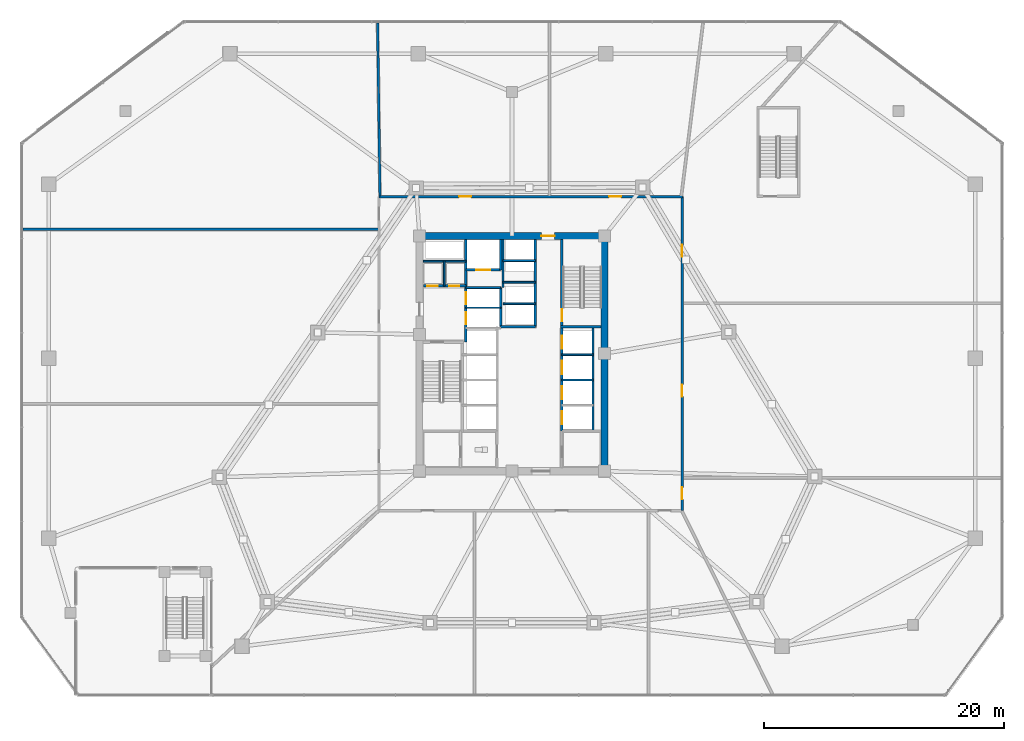
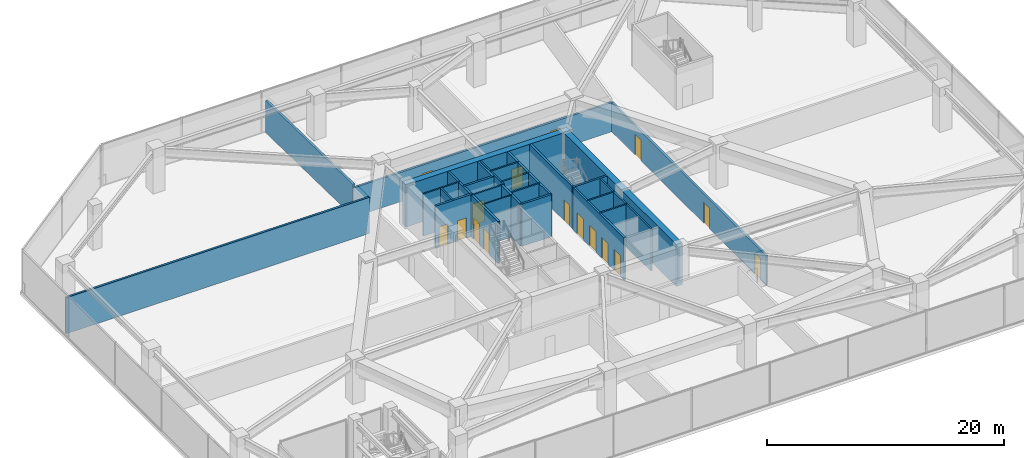
# One storey, part 15 of 23: 27 walls, 16 doors, 16 openings.
"""IFC4 building model written with IfcOpenShell, lengths in metres."""

from ifc_helpers import new_model, si_unit, direction, frame, frame_2d, origin, place, context, subcontext, project, spatial, rectangle, extrude, material, layer, layer_set, type_object, element, fill, save


model = new_model("IFC4")

# Units and contexts
model_context = context("Model", 3, precision=1e-05, world=origin(), true_north=direction((0.0, 1.0)))
body_context = subcontext(model_context, "Body", "Model", "MODEL_VIEW")
ifc_project = project(units=[si_unit("LENGTHUNIT", "METRE"), si_unit("AREAUNIT", "SQUARE_METRE"), si_unit("VOLUMEUNIT", "CUBIC_METRE"), si_unit("PLANEANGLEUNIT", "RADIAN"), si_unit("MASSUNIT", "GRAM", prefix="KILO")], contexts=[model_context])

# Site, building, storey
site_placement = place(None, origin())
site = spatial("IfcSite", under=ifc_project, at=site_placement, CompositionType="ELEMENT")
building_placement = place(site_placement, origin())
building = spatial("IfcBuilding", under=site, at=building_placement, Name="Savorim Split Tower", CompositionType="ELEMENT")
storey_placement = place(building_placement, frame((0.0, 0.0, 21.800048828125)))
storey = spatial("IfcBuildingStorey", under=building, at=storey_placement, Name="L05", CompositionType="ELEMENT", Elevation=21.800048828125)

# Wall, opening, door
ifc_material_1 = material(Name="Concrete C60/75", Category="concrete")
ifc_layer_1 = layer(ifc_material_1, 0.60009765625)
ifc_layer_set_1 = layer_set([ifc_layer_1], Name="WAL-COR-SH600")
wall_type_1 = type_object("IfcWallType", Name="WAL-COR-SH600", PredefinedType="SHEAR", material=ifc_layer_set_1)
wall_1_placement = place(storey_placement, frame((8.0, 10.199951171875, 0.0), z_axis=(0.0, 0.0, 1.0), x_axis=(-1.0, 0.0, 0.0)))
wall_1 = element("IfcWall", 1, at=wall_1_placement, inside=storey, type_object=wall_type_1, Name="L05 Offset Core North Shear Wall", PredefinedType="SHEAR", context=body_context, shape_type="SweptSolid", body=[
    extrude(rectangle(XDim=16.0, YDim=0.60009765625, at=frame_2d((8.0, 0.0))), origin(), (0.0, 0.0, 1.0), 4.349853515625),
])
opening_1_placement = place(wall_1_placement, frame((4.449951171875, 0.0, 0.0)))
opening_1 = element("IfcOpeningElement", 2, at=opening_1_placement, cuts=wall_1, Name="Opening DI-03", PredefinedType="OPENING", context=body_context, shape_type="SweptSolid", body=[
    extrude(rectangle(XDim=1.10009765625, YDim=2.14990234375, at=frame_2d((0.550048828125, 1.074951171875))), frame((0.0, 0.31005859375, 0.0), z_axis=(0.0, -1.0, 0.0), x_axis=(1.0, 0.0, 0.0)), (0.0, 0.0, 1.0), 0.6201171875),
])
ifc_material_2 = material(Name="Timber Fire Door Leaf", Category="wood")
door_type_1 = type_object("IfcDoorType", Name="DOR-FIR-1100", OperationType="NOTDEFINED", PredefinedType="DOOR", material=ifc_material_2)
door_1_placement = place(opening_1_placement, origin())
door_1 = element("IfcDoor", 3, at=door_1_placement, inside=storey, type_object=door_type_1, Name="DOR-L05-COR-NLOB - L05 North Corridor Lobby Fire Door", OperationType="SINGLE_SWING_RIGHT", OverallHeight=2.14990234375, OverallWidth=1.10009765625, PredefinedType="DOOR", context=body_context, shape_type="SweptSolid", body=[
    extrude(rectangle(XDim=1.10009765625, YDim=2.14990234375, at=frame_2d((0.550048828125, 1.074951171875))), frame((0.0, 0.02490234375, 0.0), z_axis=(0.0, -1.0, 0.0), x_axis=(1.0, 0.0, 0.0)), (0.0, 0.0, 1.0), 0.050048828125),
])
fill(opening_1, door_1)

# Wall
wall_2_placement = place(storey_placement, frame((7.699951171875, 9.89990234375, 0.0), z_axis=(0.0, 0.0, 1.0), x_axis=(0.0, -1.0, 0.0)))
element("IfcWall", 4, at=wall_2_placement, inside=storey, type_object=wall_type_1, Name="L05 Offset Core East Shear Wall", PredefinedType="SHEAR", context=body_context, shape_type="SweptSolid", body=[
    extrude(rectangle(XDim=19.0, YDim=0.60009765625, at=frame_2d((9.5, 0.0))), origin(), (0.0, 0.0, 1.0), 4.349853515625),
])

# Wall, openings, doors
ifc_material_3 = material(Name="Concrete C50/60", Category="concrete")
ifc_layer_2 = layer(ifc_material_3, 0.199951171875)
ifc_layer_set_2 = layer_set([ifc_layer_2], Name="WAL-INT-RC200")
wall_type_2 = type_object("IfcWallType", Name="WAL-INT-RC200", PredefinedType="SOLIDWALL", material=ifc_layer_set_2)
wall_3_placement = place(storey_placement, frame((-3.85009765625, 1.35009765625, 0.0), z_axis=(0.0, 0.0, 1.0), x_axis=(0.0, 1.0, 0.0)))
wall_3 = element("IfcWall", 5, at=wall_3_placement, inside=storey, type_object=wall_type_2, Name="L05 Partition W-L05-CR03", PredefinedType="SOLIDWALL", context=body_context, shape_type="SweptSolid", body=[
    extrude(rectangle(XDim=8.544921875, YDim=0.199951171875, at=frame_2d((4.2724609375, 0.0))), origin(), (0.0, 0.0, 1.0), 4.349853515625),
])
opening_2_placement = place(wall_3_placement, frame((1.5, 0.0, 0.0)))
opening_2 = element("IfcOpeningElement", 6, at=opening_2_placement, cuts=wall_3, Name="Opening LD-FFL", PredefinedType="OPENING", context=body_context, shape_type="SweptSolid", body=[
    extrude(rectangle(XDim=1.0, YDim=2.14990234375, at=frame_2d((0.5, 1.074951171875))), frame((0.0, 0.10986328125, 0.0), z_axis=(0.0, -1.0, 0.0), x_axis=(1.0, 0.0, 0.0)), (0.0, 0.0, 1.0), 0.219970703125),
])
opening_3_placement = place(wall_3_placement, frame((3.179931640625, 0.0, 0.0)))
opening_3 = element("IfcOpeningElement", 7, at=opening_3_placement, cuts=wall_3, Name="Opening LD-FFL", PredefinedType="OPENING", context=body_context, shape_type="SweptSolid", body=[
    extrude(rectangle(XDim=1.0, YDim=2.14990234375, at=frame_2d((0.5, 1.074951171875))), frame((0.0, 0.10986328125, 0.0), z_axis=(0.0, -1.0, 0.0), x_axis=(1.0, 0.0, 0.0)), (0.0, 0.0, 1.0), 0.219970703125),
])
ifc_material_4 = material(Name="Charcoal Anodised Aluminium", Category="aluminium")
door_type_2 = type_object("IfcDoorType", Name="DOR-SLD-LD1000", OperationType="NOTDEFINED", PredefinedType="DOOR", material=ifc_material_4)
door_2_placement = place(opening_2_placement, origin())
door_2 = element("IfcDoor", 8, at=door_2_placement, inside=storey, type_object=door_type_2, Name="DR-L05-LD-FFL1 - L05 Firefighting Lift FFL-1 Sliding Landing Door", OperationType="DOUBLE_DOOR_SLIDING", OverallHeight=2.14990234375, OverallWidth=1.0, PredefinedType="DOOR", context=body_context, shape_type="SweptSolid", body=[
    extrude(rectangle(XDim=1.0, YDim=2.14990234375, at=frame_2d((0.5, 1.074951171875))), frame((0.0, 0.02490234375, 0.0), z_axis=(0.0, -1.0, 0.0), x_axis=(1.0, 0.0, 0.0)), (0.0, 0.0, 1.0), 0.050048828125),
])
fill(opening_2, door_2)
door_3_placement = place(opening_3_placement, origin())
door_3 = element("IfcDoor", 9, at=door_3_placement, inside=storey, type_object=door_type_2, Name="DR-L05-LD-FFL2 - L05 Firefighting Lift FFL-2 Sliding Landing Door", OperationType="DOUBLE_DOOR_SLIDING", OverallHeight=2.14990234375, OverallWidth=1.0, PredefinedType="DOOR", context=body_context, shape_type="SweptSolid", body=[
    extrude(rectangle(XDim=1.0, YDim=2.14990234375, at=frame_2d((0.5, 1.074951171875))), frame((0.0, 0.02490234375, 0.0), z_axis=(0.0, -1.0, 0.0), x_axis=(1.0, 0.0, 0.0)), (0.0, 0.0, 1.0), 0.050048828125),
])
fill(opening_3, door_3)

wall_4_placement = place(storey_placement, frame((-7.39501953125, 6.050048828125, 0.0), z_axis=(0.0, 0.0, 1.0), x_axis=(1.0, 0.0, 0.0)))
wall_4 = element("IfcWall", 10, at=wall_4_placement, inside=storey, type_object=wall_type_2, Name="L05 Partition W-L05-CR04", PredefinedType="SOLIDWALL", context=body_context, shape_type="SweptSolid", body=[
    extrude(rectangle(XDim=3.544921875, YDim=0.199951171875, at=frame_2d((1.7724609375, 0.0))), origin(), (0.0, 0.0, 1.0), 4.349853515625),
])
opening_4_placement = place(wall_4_placement, frame((0.344970703125, 0.0, 0.0)))
opening_4 = element("IfcOpeningElement", 11, at=opening_4_placement, cuts=wall_4, Name="Opening DI-12", PredefinedType="OPENING", context=body_context, shape_type="SweptSolid", body=[
    extrude(rectangle(XDim=0.85009765625, YDim=2.10009765625, at=frame_2d((0.425048828125, 1.050048828125))), frame((0.0, 0.10986328125, 0.0), z_axis=(0.0, -1.0, 0.0), x_axis=(1.0, 0.0, 0.0)), (0.0, 0.0, 1.0), 0.219970703125),
])
opening_5_placement = place(wall_4_placement, frame((2.14501953125, 0.0, 0.0)))
opening_5 = element("IfcOpeningElement", 12, at=opening_5_placement, cuts=wall_4, Name="Opening DI-12", PredefinedType="OPENING", context=body_context, shape_type="SweptSolid", body=[
    extrude(rectangle(XDim=0.85009765625, YDim=2.10009765625, at=frame_2d((0.425048828125, 1.050048828125))), frame((0.0, 0.10986328125, 0.0), z_axis=(0.0, -1.0, 0.0), x_axis=(1.0, 0.0, 0.0)), (0.0, 0.0, 1.0), 0.219970703125),
])
ifc_material_5 = material(Name="Galvanised Painted Steel Balustrade", Category="steel")
door_type_3 = type_object("IfcDoorType", Name="DOR-RIS-850", OperationType="NOTDEFINED", PredefinedType="DOOR", material=ifc_material_5)
door_4_placement = place(opening_4_placement, origin())
door_4 = element("IfcDoor", 13, at=door_4_placement, inside=storey, type_object=door_type_3, Name="DR-L05-ELR - L05 Electrical Riser Access Door", OperationType="SINGLE_SWING_RIGHT", OverallHeight=2.10009765625, OverallWidth=0.85009765625, PredefinedType="DOOR", context=body_context, shape_type="SweptSolid", body=[
    extrude(rectangle(XDim=0.85009765625, YDim=2.10009765625, at=frame_2d((0.425048828125, 1.050048828125))), frame((0.0, 0.02490234375, 0.0), z_axis=(0.0, -1.0, 0.0), x_axis=(1.0, 0.0, 0.0)), (0.0, 0.0, 1.0), 0.050048828125),
])
fill(opening_4, door_4)
door_5_placement = place(opening_5_placement, origin())
door_5 = element("IfcDoor", 14, at=door_5_placement, inside=storey, type_object=door_type_3, Name="DR-L05-TLR - L05 Telecom Riser Access Door", OperationType="SINGLE_SWING_LEFT", OverallHeight=2.10009765625, OverallWidth=0.85009765625, PredefinedType="DOOR", context=body_context, shape_type="SweptSolid", body=[
    extrude(rectangle(XDim=0.85009765625, YDim=2.10009765625, at=frame_2d((0.425048828125, 1.050048828125))), frame((0.0, 0.02490234375, 0.0), z_axis=(0.0, -1.0, 0.0), x_axis=(1.0, 0.0, 0.0)), (0.0, 0.0, 1.0), 0.050048828125),
])
fill(opening_5, door_5)

# Wall, opening, door
wall_5_placement = place(storey_placement, frame((4.14990234375, 2.75, 0.0), z_axis=(0.0, 0.0, 1.0), x_axis=(0.0, 1.0, 0.0)))
wall_5 = element("IfcWall", 15, at=wall_5_placement, inside=storey, type_object=wall_type_2, Name="L05 Structural Shaft Wall W-L05-CR07", PredefinedType="SOLIDWALL", context=body_context, shape_type="SweptSolid", body=[
    extrude(rectangle(XDim=7.14990234375, YDim=0.199951171875, at=frame_2d((3.574951171875, 0.0))), origin(), (0.0, 0.0, 1.0), 4.349853515625),
])
opening_6_placement = place(wall_5_placement, frame((0.35009765625, 0.0, 0.0)))
opening_6 = element("IfcOpeningElement", 16, at=opening_6_placement, cuts=wall_5, Name="Opening DI-04", PredefinedType="OPENING", context=body_context, shape_type="SweptSolid", body=[
    extrude(rectangle(XDim=1.0, YDim=2.14990234375, at=frame_2d((0.5, 1.074951171875))), frame((0.0, 0.10986328125, 0.0), z_axis=(0.0, -1.0, 0.0), x_axis=(1.0, 0.0, 0.0)), (0.0, 0.0, 1.0), 0.219970703125),
])
door_type_4 = type_object("IfcDoorType", Name="DOR-FIR-1000", OperationType="NOTDEFINED", PredefinedType="DOOR", material=ifc_material_2)
door_6_placement = place(opening_6_placement, origin())
door_6 = element("IfcDoor", 17, at=door_6_placement, inside=storey, type_object=door_type_4, Name="DR-L05-ST2 - L05 Stair ST-2 Enclosure Door", OperationType="SINGLE_SWING_RIGHT", OverallHeight=2.14990234375, OverallWidth=1.0, PredefinedType="DOOR", context=body_context, shape_type="SweptSolid", body=[
    extrude(rectangle(XDim=1.0, YDim=2.14990234375, at=frame_2d((0.5, 1.074951171875))), frame((0.0, 0.02490234375, 0.0), z_axis=(0.0, -1.0, 0.0), x_axis=(1.0, 0.0, 0.0)), (0.0, 0.0, 1.0), 0.050048828125),
])
fill(opening_6, door_6)

# Walls
wall_6_placement = place(storey_placement, frame((4.050048828125, 2.64990234375, 0.0), z_axis=(0.0, 0.0, 1.0), x_axis=(1.0, 0.0, 0.0)))
element("IfcWall", 18, at=wall_6_placement, inside=storey, type_object=wall_type_2, Name="L05 Structural Shaft Wall W-L05-CR08", PredefinedType="SOLIDWALL", context=body_context, shape_type="SweptSolid", body=[
    extrude(rectangle(XDim=3.349853515625, YDim=0.199951171875, at=frame_2d((1.6748046875, 0.0))), origin(), (0.0, 0.0, 1.0), 4.349853515625),
])
wall_7_placement = place(storey_placement, frame((-0.949951171875, 2.64990234375, 0.0), z_axis=(0.0, 0.0, 1.0), x_axis=(0.0, 1.0, 0.0)))
element("IfcWall", 19, at=wall_7_placement, inside=storey, type_object=wall_type_2, Name="L05 Partition W-L05-FFLW", PredefinedType="SOLIDWALL", context=body_context, shape_type="SweptSolid", body=[
    extrude(rectangle(XDim=3.27001953125, YDim=0.199951171875, at=frame_2d((1.635009765625, 0.0))), origin(), (0.0, 0.0, 1.0), 4.349853515625),
])

# Wall, opening, door
wall_8_placement = place(storey_placement, frame((-3.85009765625, 7.3798828125, 0.0), z_axis=(0.0, 0.0, 1.0), x_axis=(1.0, 0.0, 0.0)))
wall_8 = element("IfcWall", 20, at=wall_8_placement, inside=storey, type_object=wall_type_2, Name="L05 Partition W-L05-SVLS", PredefinedType="SOLIDWALL", context=body_context, shape_type="SweptSolid", body=[
    extrude(rectangle(XDim=2.900146484375, YDim=0.199951171875, at=frame_2d((1.4501953125, 0.0))), origin(), (0.0, 0.0, 1.0), 4.349853515625),
])
opening_7_placement = place(wall_8_placement, frame((0.85009765625, 0.0, 0.0)))
opening_7 = element("IfcOpeningElement", 21, at=opening_7_placement, cuts=wall_8, Name="Opening LD-SV", PredefinedType="OPENING", context=body_context, shape_type="SweptSolid", body=[
    extrude(rectangle(XDim=1.199951171875, YDim=2.199951171875, at=frame_2d((0.60009765625, 1.10009765625))), frame((0.0, 0.10986328125, 0.0), z_axis=(0.0, -1.0, 0.0), x_axis=(1.0, 0.0, 0.0)), (0.0, 0.0, 1.0), 0.219970703125),
])
door_type_5 = type_object("IfcDoorType", Name="DOR-SLD-SV1200", OperationType="NOTDEFINED", PredefinedType="DOOR", material=ifc_material_4)
door_7_placement = place(opening_7_placement, origin())
door_7 = element("IfcDoor", 22, at=door_7_placement, inside=storey, type_object=door_type_5, Name="DR-L05-LD-SVL1 - L05 Service Lift SVL-1 Sliding Landing Door", OperationType="DOUBLE_DOOR_SLIDING", OverallHeight=2.199951171875, OverallWidth=1.199951171875, PredefinedType="DOOR", context=body_context, shape_type="SweptSolid", body=[
    extrude(rectangle(XDim=1.199951171875, YDim=2.199951171875, at=frame_2d((0.60009765625, 1.10009765625))), frame((0.0, 0.02490234375, 0.0), z_axis=(0.0, -1.0, 0.0), x_axis=(1.0, 0.0, 0.0)), (0.0, 0.0, 1.0), 0.050048828125),
])
fill(opening_7, door_7)

# Wall
wall_9_placement = place(storey_placement, frame((-0.949951171875, 7.3798828125, 0.0), z_axis=(0.0, 0.0, 1.0), x_axis=(0.0, 1.0, 0.0)))
element("IfcWall", 23, at=wall_9_placement, inside=storey, type_object=wall_type_2, Name="L05 Partition W-L05-SVLE", PredefinedType="SOLIDWALL", context=body_context, shape_type="SweptSolid", body=[
    extrude(rectangle(XDim=2.51513671875, YDim=0.199951171875, at=frame_2d((1.257568359375, 0.0))), origin(), (0.0, 0.0, 1.0), 4.349853515625),
])

# Wall, openings, doors
wall_10_placement = place(storey_placement, frame((4.14990234375, -6.050048828125, 0.0), z_axis=(0.0, 0.0, 1.0), x_axis=(0.0, 1.0, 0.0)))
wall_10 = element("IfcWall", 24, at=wall_10_placement, inside=storey, type_object=wall_type_2, Name="L05 Partition W-L05-B1FRONT", PredefinedType="SOLIDWALL", context=body_context, shape_type="SweptSolid", body=[
    extrude(rectangle(XDim=8.699951171875, YDim=0.199951171875, at=frame_2d((4.35009765625, 0.0))), origin(), (0.0, 0.0, 1.0), 4.349853515625),
])
opening_8_placement = place(wall_10_placement, frame((0.550048828125, 0.0, 0.0)))
opening_8 = element("IfcOpeningElement", 25, at=opening_8_placement, cuts=wall_10, Name="Opening LD-01", PredefinedType="OPENING", context=body_context, shape_type="SweptSolid", body=[
    extrude(rectangle(XDim=1.10009765625, YDim=2.14990234375, at=frame_2d((0.550048828125, 1.074951171875))), frame((0.0, 0.10986328125, 0.0), z_axis=(0.0, -1.0, 0.0), x_axis=(1.0, 0.0, 0.0)), (0.0, 0.0, 1.0), 0.219970703125),
])
opening_9_placement = place(wall_10_placement, frame((2.64990234375, 0.0, 0.0)))
opening_9 = element("IfcOpeningElement", 26, at=opening_9_placement, cuts=wall_10, Name="Opening LD-01", PredefinedType="OPENING", context=body_context, shape_type="SweptSolid", body=[
    extrude(rectangle(XDim=1.10009765625, YDim=2.14990234375, at=frame_2d((0.550048828125, 1.074951171875))), frame((0.0, 0.10986328125, 0.0), z_axis=(0.0, -1.0, 0.0), x_axis=(1.0, 0.0, 0.0)), (0.0, 0.0, 1.0), 0.219970703125),
])
opening_10_placement = place(wall_10_placement, frame((4.75, 0.0, 0.0)))
opening_10 = element("IfcOpeningElement", 27, at=opening_10_placement, cuts=wall_10, Name="Opening LD-01", PredefinedType="OPENING", context=body_context, shape_type="SweptSolid", body=[
    extrude(rectangle(XDim=1.10009765625, YDim=2.14990234375, at=frame_2d((0.550048828125, 1.074951171875))), frame((0.0, 0.10986328125, 0.0), z_axis=(0.0, -1.0, 0.0), x_axis=(1.0, 0.0, 0.0)), (0.0, 0.0, 1.0), 0.219970703125),
])
opening_11_placement = place(wall_10_placement, frame((6.85009765625, 0.0, 0.0)))
opening_11 = element("IfcOpeningElement", 28, at=opening_11_placement, cuts=wall_10, Name="Opening LD-01", PredefinedType="OPENING", context=body_context, shape_type="SweptSolid", body=[
    extrude(rectangle(XDim=1.10009765625, YDim=2.14990234375, at=frame_2d((0.550048828125, 1.074951171875))), frame((0.0, 0.10986328125, 0.0), z_axis=(0.0, -1.0, 0.0), x_axis=(1.0, 0.0, 0.0)), (0.0, 0.0, 1.0), 0.219970703125),
])
door_type_6 = type_object("IfcDoorType", Name="DOR-SLD-LD1100", OperationType="NOTDEFINED", PredefinedType="DOOR", material=ifc_material_4)
door_8_placement = place(opening_8_placement, origin())
door_8 = element("IfcDoor", 29, at=door_8_placement, inside=storey, type_object=door_type_6, Name="DR-L05-LD-PLL1 - L05 Lift PL-L1 Sliding Landing Door", OperationType="DOUBLE_DOOR_SLIDING", OverallHeight=2.14990234375, OverallWidth=1.10009765625, PredefinedType="DOOR", context=body_context, shape_type="SweptSolid", body=[
    extrude(rectangle(XDim=1.10009765625, YDim=2.14990234375, at=frame_2d((0.550048828125, 1.074951171875))), frame((0.0, 0.02490234375, 0.0), z_axis=(0.0, -1.0, 0.0), x_axis=(1.0, 0.0, 0.0)), (0.0, 0.0, 1.0), 0.050048828125),
])
fill(opening_8, door_8)
door_9_placement = place(opening_9_placement, origin())
door_9 = element("IfcDoor", 30, at=door_9_placement, inside=storey, type_object=door_type_6, Name="DR-L05-LD-PLL2 - L05 Lift PL-L2 Sliding Landing Door", OperationType="DOUBLE_DOOR_SLIDING", OverallHeight=2.14990234375, OverallWidth=1.10009765625, PredefinedType="DOOR", context=body_context, shape_type="SweptSolid", body=[
    extrude(rectangle(XDim=1.10009765625, YDim=2.14990234375, at=frame_2d((0.550048828125, 1.074951171875))), frame((0.0, 0.02490234375, 0.0), z_axis=(0.0, -1.0, 0.0), x_axis=(1.0, 0.0, 0.0)), (0.0, 0.0, 1.0), 0.050048828125),
])
fill(opening_9, door_9)
door_10_placement = place(opening_10_placement, origin())
door_10 = element("IfcDoor", 31, at=door_10_placement, inside=storey, type_object=door_type_6, Name="DR-L05-LD-PLL3 - L05 Lift PL-L3 Sliding Landing Door", OperationType="DOUBLE_DOOR_SLIDING", OverallHeight=2.14990234375, OverallWidth=1.10009765625, PredefinedType="DOOR", context=body_context, shape_type="SweptSolid", body=[
    extrude(rectangle(XDim=1.10009765625, YDim=2.14990234375, at=frame_2d((0.550048828125, 1.074951171875))), frame((0.0, 0.02490234375, 0.0), z_axis=(0.0, -1.0, 0.0), x_axis=(1.0, 0.0, 0.0)), (0.0, 0.0, 1.0), 0.050048828125),
])
fill(opening_10, door_10)
door_11_placement = place(opening_11_placement, origin())
door_11 = element("IfcDoor", 32, at=door_11_placement, inside=storey, type_object=door_type_6, Name="DR-L05-LD-PLL4 - L05 Lift PL-L4 Sliding Landing Door", OperationType="DOUBLE_DOOR_SLIDING", OverallHeight=2.14990234375, OverallWidth=1.10009765625, PredefinedType="DOOR", context=body_context, shape_type="SweptSolid", body=[
    extrude(rectangle(XDim=1.10009765625, YDim=2.14990234375, at=frame_2d((0.550048828125, 1.074951171875))), frame((0.0, 0.02490234375, 0.0), z_axis=(0.0, -1.0, 0.0), x_axis=(1.0, 0.0, 0.0)), (0.0, 0.0, 1.0), 0.050048828125),
])
fill(opening_11, door_11)

# Walls
wall_11_placement = place(storey_placement, frame((1.949951171875, 2.64990234375, 0.0), z_axis=(0.0, 0.0, 1.0), x_axis=(0.0, 1.0, 0.0)))
element("IfcWall", 33, at=wall_11_placement, inside=storey, type_object=wall_type_2, Name="L05 Partition W-L05-B3FRONT", PredefinedType="SOLIDWALL", context=body_context, shape_type="SweptSolid", body=[
    extrude(rectangle(XDim=7.2451171875, YDim=0.199951171875, at=frame_2d((3.62255859375, 0.0))), origin(), (0.0, 0.0, 1.0), 4.349853515625),
])
wall_12_placement = place(storey_placement, frame((-0.949951171875, 2.64990234375, 0.0), z_axis=(0.0, 0.0, 1.0), x_axis=(1.0, 0.0, 0.0)))
element("IfcWall", 34, at=wall_12_placement, inside=storey, type_object=wall_type_2, Name="L05 Partition W-L05-B3SOUTH", PredefinedType="SOLIDWALL", context=body_context, shape_type="SweptSolid", body=[
    extrude(rectangle(XDim=2.89990234375, YDim=0.199951171875, at=frame_2d((1.449951171875, 0.0))), origin(), (0.0, 0.0, 1.0), 4.349853515625),
])

# Wall, openings, doors
wall_13_placement = place(storey_placement, frame((-11.10009765625, 13.47998046875, 0.0), z_axis=(0.0, 0.0, 1.0), x_axis=(1.0, 0.0, 0.0)))
wall_13 = element("IfcWall", 35, at=wall_13_placement, inside=storey, type_object=wall_type_2, Name="L05 Partition W-L05-COR-N1", PredefinedType="SOLIDWALL", context=body_context, shape_type="SweptSolid", body=[
    extrude(rectangle(XDim=25.300048828125, YDim=0.199951171875, at=frame_2d((12.64990234375, 0.0))), origin(), (0.0, 0.0, 1.0), 3.02490234375),
])
opening_12_placement = place(wall_13_placement, frame((19.18701171875, 0.0, 0.0)))
opening_12 = element("IfcOpeningElement", 36, at=opening_12_placement, cuts=wall_13, Name="Opening DI-04", PredefinedType="OPENING", context=body_context, shape_type="SweptSolid", body=[
    extrude(rectangle(XDim=1.0, YDim=2.14990234375, at=frame_2d((0.5, 1.074951171875))), frame((0.0, 0.10986328125, 0.0), z_axis=(0.0, -1.0, 0.0), x_axis=(1.0, 0.0, 0.0)), (0.0, 0.0, 1.0), 0.219970703125),
])
opening_13_placement = place(wall_13_placement, frame((6.6904296875, 0.0, 0.0)))
opening_13 = element("IfcOpeningElement", 37, at=opening_13_placement, cuts=wall_13, Name="Opening DI-04", PredefinedType="OPENING", context=body_context, shape_type="SweptSolid", body=[
    extrude(rectangle(XDim=1.0, YDim=2.14990234375, at=frame_2d((0.5, 1.074951171875))), frame((0.0, 0.10986328125, 0.0), z_axis=(0.0, -1.0, 0.0), x_axis=(1.0, 0.0, 0.0)), (0.0, 0.0, 1.0), 0.219970703125),
])
door_12_placement = place(opening_12_placement, origin())
door_12 = element("IfcDoor", 38, at=door_12_placement, inside=storey, type_object=door_type_4, Name="DR-L05-RM08 - L05 AHU Mechanical Plant Room 2 Entry Door", OperationType="SINGLE_SWING_LEFT", OverallHeight=2.14990234375, OverallWidth=1.0, PredefinedType="DOOR", context=body_context, shape_type="SweptSolid", body=[
    extrude(rectangle(XDim=1.0, YDim=2.14990234375, at=frame_2d((0.5, 1.074951171875))), frame((0.0, 0.02490234375, 0.0), z_axis=(0.0, -1.0, 0.0), x_axis=(1.0, 0.0, 0.0)), (0.0, 0.0, 1.0), 0.050048828125),
])
fill(opening_12, door_12)
door_13_placement = place(opening_13_placement, origin())
door_13 = element("IfcDoor", 39, at=door_13_placement, inside=storey, type_object=door_type_4, Name="DR-L05-RM09 - L05 Sprinkler Pump Plant Room Entry Door", OperationType="SINGLE_SWING_RIGHT", OverallHeight=2.14990234375, OverallWidth=1.0, PredefinedType="DOOR", context=body_context, shape_type="SweptSolid", body=[
    extrude(rectangle(XDim=1.0, YDim=2.14990234375, at=frame_2d((0.5, 1.074951171875))), frame((0.0, 0.02490234375, 0.0), z_axis=(0.0, -1.0, 0.0), x_axis=(1.0, 0.0, 0.0)), (0.0, 0.0, 1.0), 0.050048828125),
])
fill(opening_13, door_13)

wall_14_placement = place(storey_placement, frame((14.179931640625, -12.679931640625, 0.0), z_axis=(0.0, 0.0, 1.0), x_axis=(0.0, 1.0, 0.0)))
wall_14 = element("IfcWall", 40, at=wall_14_placement, inside=storey, type_object=wall_type_2, Name="L05 Partition W-L05-COR-E1", PredefinedType="SOLIDWALL", context=body_context, shape_type="SweptSolid", body=[
    extrude(rectangle(XDim=26.159912109375, YDim=0.199951171875, at=frame_2d((13.080078125, 0.0))), origin(), (0.0, 0.0, 1.0), 3.02490234375),
])
opening_14_placement = place(wall_14_placement, frame((0.940185546875, 0.0, 0.0)))
opening_14 = element("IfcOpeningElement", 41, at=opening_14_placement, cuts=wall_14, Name="Opening DI-04", PredefinedType="OPENING", context=body_context, shape_type="SweptSolid", body=[
    extrude(rectangle(XDim=1.0, YDim=2.14990234375, at=frame_2d((0.5, 1.074951171875))), frame((0.0, 0.10986328125, 0.0), z_axis=(0.0, -1.0, 0.0), x_axis=(1.0, 0.0, 0.0)), (0.0, 0.0, 1.0), 0.219970703125),
])
opening_15_placement = place(wall_14_placement, frame((9.5, 0.0, 0.0)))
opening_15 = element("IfcOpeningElement", 42, at=opening_15_placement, cuts=wall_14, Name="Opening DI-04", PredefinedType="OPENING", context=body_context, shape_type="SweptSolid", body=[
    extrude(rectangle(XDim=1.0, YDim=2.14990234375, at=frame_2d((0.5, 1.074951171875))), frame((0.0, 0.10986328125, 0.0), z_axis=(0.0, -1.0, 0.0), x_axis=(1.0, 0.0, 0.0)), (0.0, 0.0, 1.0), 0.219970703125),
])
opening_16_placement = place(wall_14_placement, frame((21.139892578125, 0.0, 0.0)))
opening_16 = element("IfcOpeningElement", 43, at=opening_16_placement, cuts=wall_14, Name="Opening DI-04", PredefinedType="OPENING", context=body_context, shape_type="SweptSolid", body=[
    extrude(rectangle(XDim=1.0, YDim=2.14990234375, at=frame_2d((0.5, 1.074951171875))), frame((0.0, 0.10986328125, 0.0), z_axis=(0.0, -1.0, 0.0), x_axis=(1.0, 0.0, 0.0)), (0.0, 0.0, 1.0), 0.219970703125),
])
door_14_placement = place(opening_14_placement, origin())
door_14 = element("IfcDoor", 44, at=door_14_placement, inside=storey, type_object=door_type_4, Name="DR-L05-RM05 - L05 HV Switchgear Plant Room Entry Door", OperationType="SINGLE_SWING_RIGHT", OverallHeight=2.14990234375, OverallWidth=1.0, PredefinedType="DOOR", context=body_context, shape_type="SweptSolid", body=[
    extrude(rectangle(XDim=1.0, YDim=2.14990234375, at=frame_2d((0.5, 1.074951171875))), frame((0.0, 0.02490234375, 0.0), z_axis=(0.0, -1.0, 0.0), x_axis=(1.0, 0.0, 0.0)), (0.0, 0.0, 1.0), 0.050048828125),
])
fill(opening_14, door_14)
door_15_placement = place(opening_15_placement, origin())
door_15 = element("IfcDoor", 45, at=door_15_placement, inside=storey, type_object=door_type_4, Name="DR-L05-RM06 - L05 LV Electrical Plant Room Entry Door", OperationType="SINGLE_SWING_LEFT", OverallHeight=2.14990234375, OverallWidth=1.0, PredefinedType="DOOR", context=body_context, shape_type="SweptSolid", body=[
    extrude(rectangle(XDim=1.0, YDim=2.14990234375, at=frame_2d((0.5, 1.074951171875))), frame((0.0, 0.02490234375, 0.0), z_axis=(0.0, -1.0, 0.0), x_axis=(1.0, 0.0, 0.0)), (0.0, 0.0, 1.0), 0.050048828125),
])
fill(opening_15, door_15)
door_16_placement = place(opening_16_placement, origin())
door_16 = element("IfcDoor", 46, at=door_16_placement, inside=storey, type_object=door_type_4, Name="DR-L05-RM07 - L05 Chiller Plant Room 2 Entry Door", OperationType="SINGLE_SWING_RIGHT", OverallHeight=2.14990234375, OverallWidth=1.0, PredefinedType="DOOR", context=body_context, shape_type="SweptSolid", body=[
    extrude(rectangle(XDim=1.0, YDim=2.14990234375, at=frame_2d((0.5, 1.074951171875))), frame((0.0, 0.02490234375, 0.0), z_axis=(0.0, -1.0, 0.0), x_axis=(1.0, 0.0, 0.0)), (0.0, 0.0, 1.0), 0.050048828125),
])
fill(opening_16, door_16)

# Walls
wall_15_placement = place(storey_placement, frame((-11.0, 13.5400390625, 0.0), z_axis=(0.0, 0.0, 1.0), x_axis=(-0.014148326679, 0.999899907417, 0.0)))
element("IfcWall", 47, at=wall_15_placement, inside=storey, type_object=wall_type_2, Name="L05 Partition W-L05-PLW15", PredefinedType="SOLIDWALL", context=body_context, shape_type="SweptSolid", body=[
    extrude(rectangle(XDim=14.391357421875, YDim=0.199951171875, at=frame_2d((7.19580078125, 0.0))), origin(), (0.0, 0.0, 1.0), 3.31689453125),
])
wall_16_placement = place(storey_placement, frame((-11.139892578125, 10.7529296875, 0.0), z_axis=(0.0, 0.0, 1.0), x_axis=(-1.0, 0.0, 0.0)))
element("IfcWall", 48, at=wall_16_placement, inside=storey, type_object=wall_type_2, Name="L05 Partition W-L05-PLW18", PredefinedType="SOLIDWALL", context=body_context, shape_type="SweptSolid", body=[
    extrude(rectangle(XDim=29.590087890625, YDim=0.199951171875, at=frame_2d((14.794921875, 0.0))), origin(), (0.0, 0.0, 1.0), 3.73486328125),
])
ifc_material_6 = material(Name="Acoustic Gypsum Partition Board")
ifc_layer_3 = layer(ifc_material_6, 0.1201171875)
ifc_layer_set_3 = layer_set([ifc_layer_3], Name="WAL-PAR-120")
wall_type_3 = type_object("IfcWallType", Name="WAL-PAR-120", PredefinedType="PARTITIONING", material=ifc_layer_set_3)
wall_17_placement = place(storey_placement, frame((-3.85009765625, 4.219970703125, 0.0), z_axis=(0.0, 0.0, 1.0), x_axis=(1.0, 0.0, 0.0)))
element("IfcWall", 49, at=wall_17_placement, inside=storey, type_object=wall_type_3, Name="L05 Partition W-L05-FFLD1", PredefinedType="PARTITIONING", context=body_context, shape_type="SweptSolid", body=[
    extrude(rectangle(XDim=2.900146484375, YDim=0.1201171875, at=frame_2d((1.4501953125, 0.0))), origin(), (0.0, 0.0, 1.0), 4.349853515625),
])
ifc_layer_4 = layer(ifc_material_6, 0.14990234375)
ifc_layer_set_4 = layer_set([ifc_layer_4], Name="WAL-PAR-150")
wall_type_4 = type_object("IfcWallType", Name="WAL-PAR-150", PredefinedType="PARTITIONING", material=ifc_layer_set_4)
wall_18_placement = place(storey_placement, frame((-7.39501953125, 8.10009765625, 0.0), z_axis=(0.0, 0.0, 1.0), x_axis=(1.0, 0.0, 0.0)))
element("IfcWall", 50, at=wall_18_placement, inside=storey, type_object=wall_type_4, Name="L05 Partition W-L05-CR05", PredefinedType="PARTITIONING", context=body_context, shape_type="SweptSolid", body=[
    extrude(rectangle(XDim=3.544921875, YDim=0.14990234375, at=frame_2d((1.7724609375, 0.0))), origin(), (0.0, 0.0, 1.0), 4.349853515625),
])
wall_19_placement = place(storey_placement, frame((-5.64990234375, 6.050048828125, 0.0), z_axis=(0.0, 0.0, 1.0), x_axis=(0.0, 1.0, 0.0)))
element("IfcWall", 51, at=wall_19_placement, inside=storey, type_object=wall_type_4, Name="L05 Partition W-L05-CR06", PredefinedType="PARTITIONING", context=body_context, shape_type="SweptSolid", body=[
    extrude(rectangle(XDim=2.050048828125, YDim=0.14990234375, at=frame_2d((1.02490234375, 0.0))), origin(), (0.0, 0.0, 1.0), 4.349853515625),
])
wall_20_placement = place(storey_placement, frame((-3.85009765625, 5.89990234375, 0.0), z_axis=(0.0, 0.0, 1.0), x_axis=(1.0, 0.0, 0.0)))
element("IfcWall", 52, at=wall_20_placement, inside=storey, type_object=wall_type_4, Name="L05 Partition W-L05-FFLD2", PredefinedType="PARTITIONING", context=body_context, shape_type="SweptSolid", body=[
    extrude(rectangle(XDim=2.900146484375, YDim=0.14990234375, at=frame_2d((1.4501953125, 0.0))), origin(), (0.0, 0.0, 1.0), 4.349853515625),
])
wall_21_placement = place(storey_placement, frame((6.75, -6.050048828125, 0.0), z_axis=(0.0, 0.0, 1.0), x_axis=(0.0, 1.0, 0.0)))
element("IfcWall", 53, at=wall_21_placement, inside=storey, type_object=wall_type_4, Name="L05 Partition W-L05-B1BACK", PredefinedType="PARTITIONING", context=body_context, shape_type="SweptSolid", body=[
    extrude(rectangle(XDim=8.699951171875, YDim=0.14990234375, at=frame_2d((4.35009765625, 0.0))), origin(), (0.0, 0.0, 1.0), 4.349853515625),
])
for number, where, z_axis, x_axis, name in (
    (54, (4.14990234375, -1.800048828125, 0.0), (0.0, 0.0, 1.0), (1.0, 0.0, 0.0), "L05 Partition W-L05-B1DIV2"),
    (55, (4.14990234375, 0.300048828125, 0.0), (0.0, 0.0, 1.0), (1.0, 0.0, 0.0), "L05 Partition W-L05-B1DIV3"),
):
    element("IfcWall", number, at=place(storey_placement, frame(where, z_axis=z_axis, x_axis=x_axis)), inside=storey, type_object=wall_type_4, Name=name, PredefinedType="PARTITIONING", context=body_context, shape_type="SweptSolid", body=[
        extrude(rectangle(XDim=2.60009765625, YDim=0.14990234375, at=frame_2d((1.300048828125, 0.0))), origin(), (0.0, 0.0, 1.0), 4.349853515625),
    ])
wall_22_placement = place(storey_placement, frame((-0.75, 5.919921875, 0.0), z_axis=(0.0, 0.0, 1.0), x_axis=(0.0, 1.0, 0.0)))
element("IfcWall", 56, at=wall_22_placement, inside=storey, type_object=wall_type_4, Name="L05 Partition W-L05-B3WEST", PredefinedType="PARTITIONING", context=body_context, shape_type="SweptSolid", body=[
    extrude(rectangle(XDim=3.97509765625, YDim=0.14990234375, at=frame_2d((1.987548828125, 0.0))), origin(), (0.0, 0.0, 1.0), 4.349853515625),
])
for number, where, z_axis, x_axis, name in (
    (57, (-0.75, 4.550048828125, 0.0), (0.0, 0.0, 1.0), (1.0, 0.0, 0.0), "L05 Partition W-L05-B3DIV1"),
    (58, (-0.75, 6.35009765625, 0.0), (0.0, 0.0, 1.0), (1.0, 0.0, 0.0), "L05 Partition W-L05-B3DIV2"),
    (59, (-0.75, 8.14990234375, 0.0), (0.0, 0.0, 1.0), (1.0, 0.0, 0.0), "L05 Partition W-L05-B3DIV3"),
):
    element("IfcWall", number, at=place(storey_placement, frame(where, z_axis=z_axis, x_axis=x_axis)), inside=storey, type_object=wall_type_4, Name=name, PredefinedType="PARTITIONING", context=body_context, shape_type="SweptSolid", body=[
        extrude(rectangle(XDim=2.699951171875, YDim=0.14990234375, at=frame_2d((1.35009765625, 0.0))), origin(), (0.0, 0.0, 1.0), 4.349853515625),
    ])

save(model, "model.ifc")
